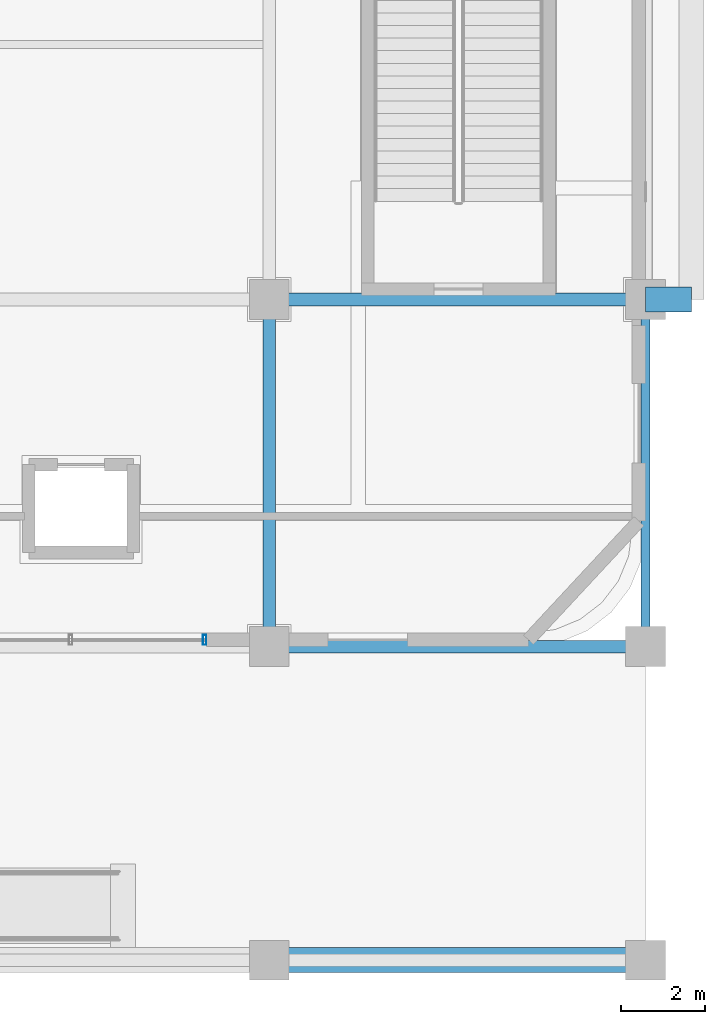
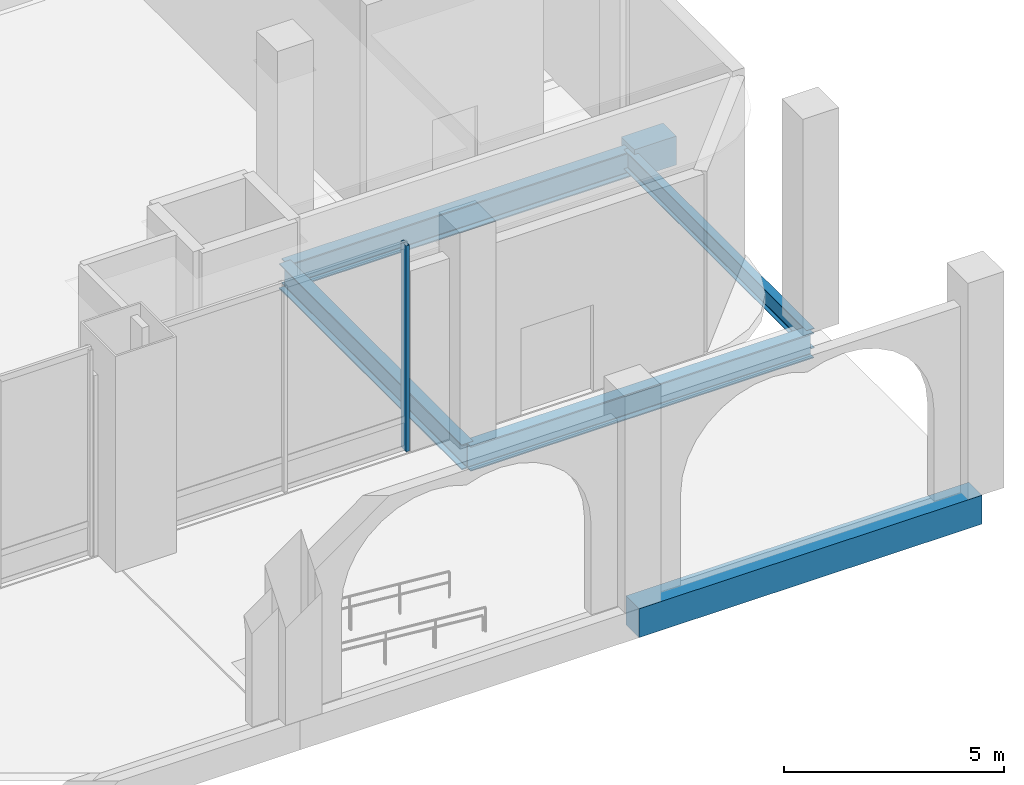
# One storey, part 14 of 32: 6 beams, 1 member, 1 element without a shape of its own.
"""IFC4 building model written with IfcOpenShell, lengths in metres."""

from ifc_helpers import new_model, si_unit, direction, frame, origin, origin_2d, place, context, subcontext, project, spatial, rectangle, hollow_rectangle, i_section, extrude, material, material_profile, profile_set, type_object, element, aggregate, save


model = new_model("IFC4")

# Units and contexts
model_context = context("Model", 3, precision=1e-05, world=origin(), true_north=direction((0.0, 1.0)))
body_context = subcontext(model_context, "Body", "Model", "MODEL_VIEW")
ifc_project = project(units=[si_unit("LENGTHUNIT", "METRE"), si_unit("AREAUNIT", "SQUARE_METRE"), si_unit("VOLUMEUNIT", "CUBIC_METRE"), si_unit("PLANEANGLEUNIT", "RADIAN"), si_unit("MASSUNIT", "GRAM", prefix="KILO")], contexts=[model_context])

# Site, building, storey
site_placement = place(None, origin())
site = spatial("IfcSite", under=ifc_project, at=site_placement, CompositionType="ELEMENT")
building_placement = place(site_placement, origin())
building = spatial("IfcBuilding", under=site, at=building_placement, Name="Punatoya Terracotta Tower", CompositionType="ELEMENT")
storey_placement = place(building_placement, origin())
storey = spatial("IfcBuildingStorey", under=building, at=storey_placement, Name="L00", CompositionType="ELEMENT", Elevation=0.0)

# Beams
ifc_material_1 = material(Name="Steel S355", Category="steel")
ifc_material_profile_1 = material_profile(ifc_material_1, i_section(OverallWidth=0.300048828125, OverallDepth=0.699951171875, WebThickness=0.01708984375, FlangeThickness=0.031982421875, FilletRadius=0.01806640625, at=origin_2d()))
ifc_profile_set_1 = profile_set([ifc_material_profile_1], Name="Steel S355")
beam_type_1 = type_object("IfcBeamType", Name="BM-PRI-700", PredefinedType="BEAM", material=ifc_profile_set_1)
for number, where, z_axis, x_axis, name in (
    (1, (28.0, -17.5, -0.6298828125), (1.0, 0.0, 0.0), (0.0, 1.0, 0.0), "BM-L00-BE2"),
    (2, (28.0, -9.199951171875, -0.6298828125), (1.0, 0.0, 0.0), (0.0, 1.0, 0.0), "BM-L00-CE2"),
):
    element("IfcBeam", number, at=place(storey_placement, frame(where, z_axis=z_axis, x_axis=x_axis)), inside=storey, type_object=beam_type_1, Name=name, PredefinedType="BEAM", context=body_context, shape_type="SweptSolid", body=[
        extrude(i_section(OverallWidth=0.300048828125, OverallDepth=0.699951171875, WebThickness=0.01708984375, FlangeThickness=0.031982421875, FilletRadius=0.01806640625, at=origin_2d()), origin(), (0.0, 0.0, 1.0), 9.0),
    ])
beam_1_placement = place(storey_placement, frame((28.0, -17.5, -0.6298828125), z_axis=(0.0, 1.0, 0.0), x_axis=(-1.0, 0.0, 0.0)))
element("IfcBeam", 3, at=beam_1_placement, inside=storey, type_object=beam_type_1, Name="BM-L00-X28E--17", PredefinedType="BEAM", context=body_context, shape_type="SweptSolid", body=[
    extrude(i_section(OverallWidth=0.300048828125, OverallDepth=0.699951171875, WebThickness=0.01708984375, FlangeThickness=0.031982421875, FilletRadius=0.01806640625, at=origin_2d()), origin(), (0.0, 0.0, 1.0), 8.300048828125),
])
ifc_material_2 = material(Name="Concrete C45/55", Category="concrete")
ifc_material_profile_2 = material_profile(ifc_material_2, rectangle(XDim=0.60009765625, YDim=0.800048828125, at=origin_2d()))
ifc_profile_set_2 = profile_set([ifc_material_profile_2], Name="Concrete C45/55")
beam_type_2 = type_object("IfcBeamType", Name="BM-RC-GRD", PredefinedType="BEAM", material=ifc_profile_set_2)
beam_2_placement = place(storey_placement, frame((28.0, -25.0, -0.550048828125), z_axis=(1.0, 0.0, 0.0), x_axis=(0.0, 1.0, 0.0)))
element("IfcBeam", 4, at=beam_2_placement, inside=storey, type_object=beam_type_2, Name="GB-PROM-7", PredefinedType="BEAM", context=body_context, shape_type="SweptSolid", body=[
    extrude(rectangle(XDim=0.60009765625, YDim=0.800048828125, at=origin_2d()), origin(), (0.0, 0.0, 1.0), 9.0),
])
beam_3_placement = place(storey_placement, frame((37.0, -9.199951171875, -0.550048828125), z_axis=(1.0, 0.0, 0.0), x_axis=(0.0, 1.0, 0.0)))
element("IfcBeam", 5, at=beam_3_placement, inside=storey, type_object=beam_type_2, Name="GB-APRE-T1", PredefinedType="BEAM", context=body_context, shape_type="SweptSolid", body=[
    extrude(rectangle(XDim=0.60009765625, YDim=0.800048828125, at=origin_2d()), origin(), (0.0, 0.0, 1.0), 1.10009765625),
])
ifc_material_profile_3 = material_profile(ifc_material_1, i_section(OverallWidth=0.2099609375, OverallDepth=0.550048828125, WebThickness=0.010986328125, FlangeThickness=0.01708984375, FilletRadius=0.01806640625, at=origin_2d()))
ifc_profile_set_3 = profile_set([ifc_material_profile_3], Name="Steel S355")
beam_type_3 = type_object("IfcBeamType", Name="BM-SPN-550", PredefinedType="SPANDREL", material=ifc_profile_set_3)
beam_4_placement = place(storey_placement, frame((37.0, -17.5, -0.554931640625), z_axis=(0.0, 1.0, 0.0), x_axis=(-1.0, 0.0, 0.0)))
element("IfcBeam", 6, at=beam_4_placement, inside=storey, type_object=beam_type_3, Name="BM-L00-X37E--17", PredefinedType="SPANDREL", context=body_context, shape_type="SweptSolid", body=[
    extrude(i_section(OverallWidth=0.2099609375, OverallDepth=0.550048828125, WebThickness=0.010986328125, FlangeThickness=0.01708984375, FilletRadius=0.01806640625, at=origin_2d()), origin(), (0.0, 0.0, 1.0), 8.300048828125),
])

# Curtain wall, member
ifc_material_3 = material(Name="Aluminium 6063-T6 + Double Low-E Glass", Category="aluminium")
curtain_wall_type = type_object("IfcCurtainWallType", Name="CW-POD", PredefinedType="NOTDEFINED", material=ifc_material_3)
curtain_wall_placement = place(storey_placement, origin())
curtain_wall = element("IfcCurtainWall", 7, at=curtain_wall_placement, inside=storey, type_object=curtain_wall_type, Name="L00 Curtain Wall CWP-L00-S2B", PredefinedType="NOTDEFINED")
ifc_material_4 = material(Name="Aluminium 6063-T6", Category="aluminium")
ifc_material_profile_4 = material_profile(ifc_material_4, hollow_rectangle(XDim=0.0849609375, YDim=0.239990234375, WallThickness=0.0048828125, at=origin_2d()))
ifc_profile_set_4 = profile_set([ifc_material_profile_4], Name="Aluminium 6063-T6")
member_type = type_object("IfcMemberType", Name="CW-MUL-POD", PredefinedType="MULLION", material=ifc_profile_set_4)
member_placement = place(storey_placement, frame((26.455078125, -17.340087890625, 0.0), z_axis=(0.0, 0.0, 1.0), x_axis=(1.0, 0.0, 0.0)))
member = element("IfcMember", 8, at=member_placement, type_object=member_type, Name="CWP-L00-S2B Mullion 02", PredefinedType="MULLION", context=body_context, shape_type="SweptSolid", body=[
    extrude(hollow_rectangle(XDim=0.0849609375, YDim=0.239990234375, WallThickness=0.0048828125, at=origin_2d()), origin(), (0.0, 0.0, 1.0), 5.719970703125),
])
aggregate(curtain_wall, [member])

save(model, "model.ifc")
